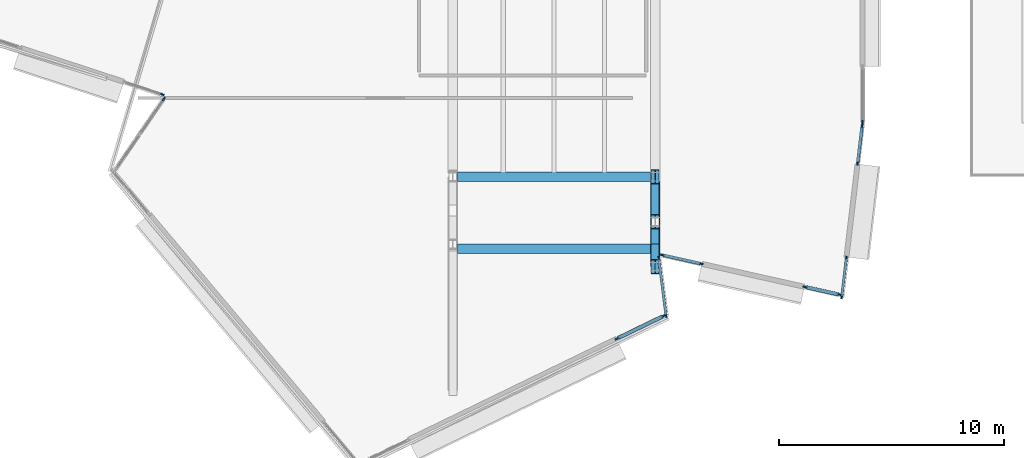
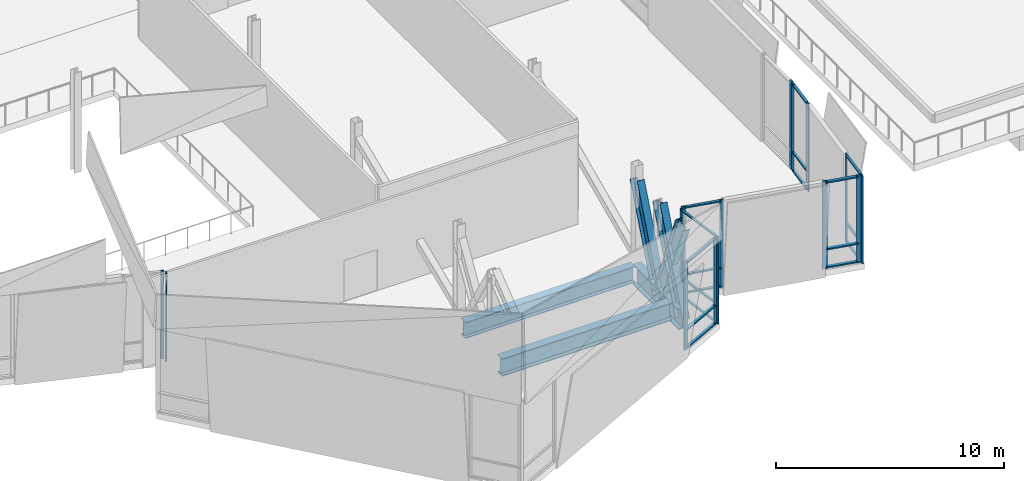
# One storey, part 11 of 60: 33 members, 7 beams, 9 elements without a shape of their own.
"""IFC4 building model written with IfcOpenShell, lengths in metres."""

from ifc_helpers import new_model, si_unit, direction, frame, origin, origin_2d, place, context, subcontext, project, spatial, rectangle, i_section, extrude, material, material_profile, profile_set, type_object, element, aggregate, save


model = new_model("IFC4")

# Units and contexts
model_context = context("Model", 3, precision=1e-05, world=origin(), true_north=direction((0.0, 1.0)))
body_context = subcontext(model_context, "Body", "Model", "MODEL_VIEW")
ifc_project = project(units=[si_unit("LENGTHUNIT", "METRE"), si_unit("AREAUNIT", "SQUARE_METRE"), si_unit("VOLUMEUNIT", "CUBIC_METRE"), si_unit("PLANEANGLEUNIT", "RADIAN"), si_unit("MASSUNIT", "GRAM", prefix="KILO")], contexts=[model_context])

# Site, building, storey
site_placement = place(None, origin())
site = spatial("IfcSite", under=ifc_project, at=site_placement, CompositionType="ELEMENT")
building_placement = place(site_placement, origin())
building = spatial("IfcBuilding", under=site, at=building_placement, Name="Trimount Lyric Opera House", CompositionType="ELEMENT")
storey_placement = place(building_placement, frame((0.0, 0.0, 15.0)))
storey = spatial("IfcBuildingStorey", under=building, at=storey_placement, Name="L03", CompositionType="ELEMENT", Elevation=15.0)

# Beams
ifc_material_1 = material(Name="Steel ASTM A992 Grade 50", Category="steel")
ifc_material_profile_1 = material_profile(ifc_material_1, i_section(OverallWidth=0.424072265625, OverallDepth=0.947021484375, WebThickness=0.02392578125, FlangeThickness=0.042724609375, FilletRadius=0.02392578125, at=origin_2d()), Name="W36X302")
ifc_profile_set_1 = profile_set([ifc_material_profile_1], Name="Steel ASTM A992 Grade 50")
beam_type_1 = type_object("IfcBeamType", Name="B-01", PredefinedType="BEAM", material=ifc_profile_set_1)
beam_1_placement = place(storey_placement, frame((45.21337890625, 22.800048828125, -0.798583984375), z_axis=(1.0, 0.0, 0.0), x_axis=(0.0, 1.0, 0.0)))
element("IfcBeam", 1, at=beam_1_placement, inside=storey, type_object=beam_type_1, Name="L03 crystal transverse girder 45", PredefinedType="BEAM", context=body_context, shape_type="SweptSolid", body=[
    extrude(i_section(OverallWidth=0.424072265625, OverallDepth=0.947021484375, WebThickness=0.02392578125, FlangeThickness=0.042724609375, FilletRadius=0.02392578125, at=origin_2d()), origin(), (0.0, 0.0, 1.0), 8.5732421875),
])
ifc_material_2 = material(Name="Steel ASTM A992 Grade 50", Category="steel")
ifc_material_profile_2 = material_profile(ifc_material_2, i_section(OverallWidth=0.40087890625, OverallDepth=0.861083984375, WebThickness=0.019775390625, FlangeThickness=0.032470703125, FilletRadius=0.02001953125, at=origin_2d()), Name="W33X221")
ifc_profile_set_2 = profile_set([ifc_material_profile_2], Name="Steel ASTM A992 Grade 50")
beam_type_2 = type_object("IfcBeamType", Name="B-04", PredefinedType="BEAM", material=ifc_profile_set_2)
beam_2_placement = place(storey_placement, frame((45.202880859375, 26.0, -0.755615234375), z_axis=(1.0, 0.0, 0.0), x_axis=(0.0, 1.0, 0.0)))
element("IfcBeam", 2, at=beam_2_placement, inside=storey, type_object=beam_type_2, Name="L03 girder X-0940", PredefinedType="BEAM", context=body_context, shape_type="SweptSolid", body=[
    extrude(i_section(OverallWidth=0.40087890625, OverallDepth=0.861083984375, WebThickness=0.019775390625, FlangeThickness=0.032470703125, FilletRadius=0.02001953125, at=origin_2d()), origin(), (0.0, 0.0, 1.0), 8.593994140625),
])
ifc_material_3 = material(Name="Steel ASTM A992 Grade 50", Category="steel")
ifc_material_profile_3 = material_profile(ifc_material_3, i_section(OverallWidth=0.35595703125, OverallDepth=0.700927734375, WebThickness=0.016845703125, FlangeThickness=0.02734375, FilletRadius=0.01806640625, at=origin_2d()), Name="W27X161")
ifc_profile_set_3 = profile_set([ifc_material_profile_3], Name="Steel ASTM A992 Grade 50")
beam_type_3 = type_object("IfcBeamType", Name="CTW-01", PredefinedType="USERDEFINED", material=ifc_profile_set_3)
for number, where, z_axis, x_axis, name in (
    (3, (54.0, 26.0, 4.154052734375), (0.0, -0.36978687442, -0.929116605979), (1.0, 0.0, 0.0), "L03 crystal truss 3 web raker 1"),
    (4, (54.0, 24.0, 4.154052734375), (0.0, -0.36978687442, -0.929116605979), (1.0, 0.0, 0.0), "L03 crystal truss 3 web raker 2"),
    (5, (54.0, 22.0, 4.154052734375), (0.0, 0.36978687442, -0.929116605979), (-1.0, 0.0, 0.0), "L03 crystal truss 3 prow counter raker"),
):
    element("IfcBeam", number, at=place(storey_placement, frame(where, z_axis=z_axis, x_axis=x_axis)), inside=storey, type_object=beam_type_3, Name=name, ObjectType="RAKER", PredefinedType="USERDEFINED", context=body_context, shape_type="SweptSolid", body=[
        extrude(i_section(OverallWidth=0.35595703125, OverallDepth=0.700927734375, WebThickness=0.016845703125, FlangeThickness=0.02734375, FilletRadius=0.01806640625, at=origin_2d()), origin(), (0.0, 0.0, 1.0), 5.408447265625),
    ])

# Curtain wall, member
ifc_material_4 = material(Name="Thermally Broken Aluminium and Low-E Glass", Category="aluminium")
curtain_wall_type = type_object("IfcCurtainWallType", Name="CW-02", PredefinedType="NOTDEFINED", material=ifc_material_4)
curtain_wall_1_placement = place(storey_placement, origin())
curtain_wall_1 = element("IfcCurtainWall", 6, at=curtain_wall_1_placement, inside=storey, type_object=curtain_wall_type, Name="L03 crystal fold glazed slit 264", PredefinedType="NOTDEFINED")
ifc_material_5 = material(Name="Anodised Aluminium 6063-T6", Category="aluminium")
ifc_material_profile_4 = material_profile(ifc_material_5, rectangle(XDim=0.070068359375, YDim=0.219970703125, at=origin_2d()), Name="ALU-MULL-70X220")
ifc_profile_set_4 = profile_set([ifc_material_profile_4], Name="Anodised Aluminium 6063-T6")
member_type_1 = type_object("IfcMemberType", Name="ML-01", PredefinedType="MULLION", material=ifc_profile_set_4)
member_1_placement = place(storey_placement, frame((63.2099609375, 28.404052734375, 0.0), z_axis=(0.0, 0.0, 1.0), x_axis=(1.0, 0.0, 0.0)))
member_1 = element("IfcMember", 7, at=member_1_placement, type_object=member_type_1, Name="CW-02 mullion 2", PredefinedType="MULLION", context=body_context, shape_type="SweptSolid", body=[
    extrude(rectangle(XDim=0.070068359375, YDim=0.219970703125, at=origin_2d()), origin(), (0.0, 0.0, 1.0), 4.719970703125),
])
aggregate(curtain_wall_1, [member_1])

# Curtain wall, members
curtain_wall_2_placement = place(storey_placement, origin())
curtain_wall_2 = element("IfcCurtainWall", 8, at=curtain_wall_2_placement, inside=storey, type_object=curtain_wall_type, Name="L03 crystal fold glazed slit 267", PredefinedType="NOTDEFINED")
member_2_placement = place(storey_placement, frame((62.182861328125, 20.76171875, 0.0), z_axis=(0.0, 0.0, 1.0), x_axis=(-0.218173664509, -0.97590996107, 0.0)))
member_2 = element("IfcMember", 9, at=member_2_placement, type_object=member_type_1, Name="CW-02 mullion 1", PredefinedType="MULLION", context=body_context, shape_type="SweptSolid", body=[
    extrude(rectangle(XDim=0.070068359375, YDim=0.219970703125, at=origin_2d()), origin(), (0.0, 0.0, 1.0), 4.699951171875),
])
member_3_placement = place(storey_placement, frame((60.672119140625, 21.099365234375, 0.0), z_axis=(0.0, 0.0, 1.0), x_axis=(-0.218173664509, -0.97590996107, 0.0)))
member_3 = element("IfcMember", 10, at=member_3_placement, type_object=member_type_1, Name="CW-02 mullion 2", PredefinedType="MULLION", context=body_context, shape_type="SweptSolid", body=[
    extrude(rectangle(XDim=0.070068359375, YDim=0.219970703125, at=origin_2d()), origin(), (0.0, 0.0, 1.0), 4.699951171875),
])

curtain_wall_3_placement = place(storey_placement, origin())
curtain_wall_3 = element("IfcCurtainWall", 11, at=curtain_wall_3_placement, inside=storey, type_object=curtain_wall_type, Name="L03 crystal fold glazed slit 270", PredefinedType="NOTDEFINED")
member_4_placement = place(storey_placement, frame((54.364501953125, 19.8076171875, 0.0), z_axis=(0.0, 0.0, 1.0), x_axis=(0.436658696555, -0.899627246543, 0.0)))
member_4 = element("IfcMember", 12, at=member_4_placement, type_object=member_type_1, Name="CW-02 mullion 1", PredefinedType="MULLION", context=body_context, shape_type="SweptSolid", body=[
    extrude(rectangle(XDim=0.070068359375, YDim=0.219970703125, at=origin_2d()), origin(), (0.0, 0.0, 1.0), 4.699951171875),
])
member_5_placement = place(storey_placement, frame((52.307373046875, 18.809326171875, 0.0), z_axis=(0.0, 0.0, 1.0), x_axis=(0.436658696555, -0.899627246543, 0.0)))
member_5 = element("IfcMember", 13, at=member_5_placement, type_object=member_type_1, Name="CW-02 mullion 2", PredefinedType="MULLION", context=body_context, shape_type="SweptSolid", body=[
    extrude(rectangle(XDim=0.070068359375, YDim=0.219970703125, at=origin_2d()), origin(), (0.0, 0.0, 1.0), 4.699951171875),
])

curtain_wall_4_placement = place(storey_placement, origin())
curtain_wall_4 = element("IfcCurtainWall", 14, at=curtain_wall_4_placement, inside=storey, type_object=curtain_wall_type, Name="L03 crystal fold glazed slit 265", PredefinedType="NOTDEFINED")
ifc_material_6 = material(Name="Anodised Aluminium 6063-T6", Category="aluminium")
ifc_material_profile_5 = material_profile(ifc_material_6, rectangle(XDim=0.06494140625, YDim=0.179931640625, at=origin_2d()), Name="ALU-MULL-65X180")
ifc_profile_set_5 = profile_set([ifc_material_profile_5], Name="Anodised Aluminium 6063-T6")
member_type_2 = type_object("IfcMemberType", Name="ML-02", PredefinedType="MULLION", material=ifc_profile_set_5)
member_6_placement = place(storey_placement, frame((63.195068359375, 28.247802734375, 0.0), z_axis=(0.0, 0.0, 1.0), x_axis=(0.993067350251, -0.117546747578, 0.0)))
member_6 = element("IfcMember", 15, at=member_6_placement, type_object=member_type_2, Name="CW-02 mullion 1", PredefinedType="MULLION", context=body_context, shape_type="SweptSolid", body=[
    extrude(rectangle(XDim=0.06494140625, YDim=0.179931640625, at=origin_2d()), origin(), (0.0, 0.0, 1.0), 4.719970703125),
])
member_7_placement = place(storey_placement, frame((62.999755859375, 26.59716796875, 0.0), z_axis=(0.0, 0.0, 1.0), x_axis=(0.993067350251, -0.117546747578, 0.0)))
member_7 = element("IfcMember", 16, at=member_7_placement, type_object=member_type_2, Name="CW-02 mullion 2", PredefinedType="MULLION", context=body_context, shape_type="SweptSolid", body=[
    extrude(rectangle(XDim=0.06494140625, YDim=0.179931640625, at=origin_2d()), origin(), (0.0, 0.0, 1.0), 4.719970703125),
])

curtain_wall_5_placement = place(storey_placement, origin())
curtain_wall_5 = element("IfcCurtainWall", 17, at=curtain_wall_5_placement, inside=storey, type_object=curtain_wall_type, Name="L03 crystal fold glazed slit 268", PredefinedType="NOTDEFINED")
member_8_placement = place(storey_placement, frame((56.042236328125, 22.135009765625, 0.0), z_axis=(0.0, 0.0, 1.0), x_axis=(-0.218029629321, -0.975942150303, 0.0)))
member_8 = element("IfcMember", 18, at=member_8_placement, type_object=member_type_2, Name="CW-02 mullion 1", PredefinedType="MULLION", context=body_context, shape_type="SweptSolid", body=[
    extrude(rectangle(XDim=0.06494140625, YDim=0.179931640625, at=origin_2d()), origin(), (0.0, 0.0, 1.0), 4.699951171875),
])
member_9_placement = place(storey_placement, frame((54.31982421875, 22.52001953125, 0.0), z_axis=(0.0, 0.0, 1.0), x_axis=(-0.218029629321, -0.975942150303, 0.0)))
member_9 = element("IfcMember", 19, at=member_9_placement, type_object=member_type_2, Name="CW-02 mullion 2", PredefinedType="MULLION", context=body_context, shape_type="SweptSolid", body=[
    extrude(rectangle(XDim=0.06494140625, YDim=0.179931640625, at=origin_2d()), origin(), (0.0, 0.0, 1.0), 4.699951171875),
])

# Curtain wall, member
curtain_wall_6_placement = place(storey_placement, origin())
curtain_wall_6 = element("IfcCurtainWall", 20, at=curtain_wall_6_placement, inside=storey, type_object=curtain_wall_type, Name="L03 crystal fold glazed slit 274", PredefinedType="NOTDEFINED")
member_10_placement = place(storey_placement, frame((32.15673828125, 29.455078125, 0.0), z_axis=(0.0, 0.0, 1.0), x_axis=(-0.825800981869, 0.563961646165, 0.0)))
member_10 = element("IfcMember", 21, at=member_10_placement, type_object=member_type_2, Name="CW-02 mullion 3", PredefinedType="MULLION", context=body_context, shape_type="SweptSolid", body=[
    extrude(rectangle(XDim=0.06494140625, YDim=0.179931640625, at=origin_2d()), origin(), (0.0, 0.0, 1.0), 4.719970703125),
])
aggregate(curtain_wall_6, [member_10])

# Curtain wall, members
curtain_wall_7_placement = place(storey_placement, origin())
curtain_wall_7 = element("IfcCurtainWall", 22, at=curtain_wall_7_placement, inside=storey, type_object=curtain_wall_type, Name="L03 crystal fold glazed slit 266", PredefinedType="NOTDEFINED")
ifc_material_7 = material(Name="Anodised Aluminium 6063-T6", Category="aluminium")
ifc_material_profile_6 = material_profile(ifc_material_7, rectangle(XDim=0.06005859375, YDim=0.14990234375, at=origin_2d()), Name="ALU-MULL-60X150")
ifc_profile_set_6 = profile_set([ifc_material_profile_6], Name="Anodised Aluminium 6063-T6")
member_type_3 = type_object("IfcMemberType", Name="ML-03", PredefinedType="MULLION", material=ifc_profile_set_6)
member_11_placement = place(storey_placement, frame((62.50244140625, 22.400146484375, 0.0), z_axis=(0.0, 0.0, 1.0), x_axis=(0.993072036748, -0.117507147991, 0.0)))
member_11 = element("IfcMember", 23, at=member_11_placement, type_object=member_type_3, Name="CW-02 mullion 1", PredefinedType="MULLION", context=body_context, shape_type="SweptSolid", body=[
    extrude(rectangle(XDim=0.06005859375, YDim=0.14990234375, at=origin_2d()), origin(), (0.0, 0.0, 1.0), 4.719970703125),
])
member_12_placement = place(storey_placement, frame((62.29443359375, 20.642822265625, 0.0), z_axis=(0.0, 0.0, 1.0), x_axis=(0.993072036748, -0.117507147991, 0.0)))
member_12 = element("IfcMember", 24, at=member_12_placement, type_object=member_type_3, Name="CW-02 mullion 2", PredefinedType="MULLION", context=body_context, shape_type="SweptSolid", body=[
    extrude(rectangle(XDim=0.06005859375, YDim=0.14990234375, at=origin_2d()), origin(), (0.0, 0.0, 1.0), 4.719970703125),
])

curtain_wall_8_placement = place(storey_placement, origin())
curtain_wall_8 = element("IfcCurtainWall", 25, at=curtain_wall_8_placement, inside=storey, type_object=curtain_wall_type, Name="L03 crystal fold glazed slit 269", PredefinedType="NOTDEFINED")
member_13_placement = place(storey_placement, frame((54.158935546875, 22.376220703125, 0.0), z_axis=(0.0, 0.0, 1.0), x_axis=(0.991876766421, 0.127202516616, 0.0)))
member_13 = element("IfcMember", 26, at=member_13_placement, type_object=member_type_3, Name="CW-02 mullion 1", PredefinedType="MULLION", context=body_context, shape_type="SweptSolid", body=[
    extrude(rectangle(XDim=0.06005859375, YDim=0.14990234375, at=origin_2d()), origin(), (0.0, 0.0, 1.0), 4.699951171875),
])
member_14_placement = place(storey_placement, frame((54.4873046875, 19.815673828125, 0.0), z_axis=(0.0, 0.0, 1.0), x_axis=(0.991876766421, 0.127202516616, 0.0)))
member_14 = element("IfcMember", 27, at=member_14_placement, type_object=member_type_3, Name="CW-02 mullion 2", PredefinedType="MULLION", context=body_context, shape_type="SweptSolid", body=[
    extrude(rectangle(XDim=0.06005859375, YDim=0.14990234375, at=origin_2d()), origin(), (0.0, 0.0, 1.0), 4.699951171875),
])

# Curtain wall, member
curtain_wall_9_placement = place(storey_placement, origin())
curtain_wall_9 = element("IfcCurtainWall", 28, at=curtain_wall_9_placement, inside=storey, type_object=curtain_wall_type, Name="L03 crystal fold glazed slit 275", PredefinedType="NOTDEFINED")
member_15_placement = place(storey_placement, frame((32.089599609375, 29.657470703125, 0.0), z_axis=(0.0, 0.0, 1.0), x_axis=(-0.31245613155, -0.949932190136, 0.0)))
member_15 = element("IfcMember", 29, at=member_15_placement, type_object=member_type_3, Name="CW-02 mullion 1", PredefinedType="MULLION", context=body_context, shape_type="SweptSolid", body=[
    extrude(rectangle(XDim=0.06005859375, YDim=0.14990234375, at=origin_2d()), origin(), (0.0, 0.0, 1.0), 4.719970703125),
])
aggregate(curtain_wall_9, [member_15])

# Beams
ifc_material_8 = material(Name="Steel ASTM A992 Grade 50", Category="steel")
ifc_material_profile_7 = material_profile(ifc_material_8, i_section(OverallWidth=0.427001953125, OverallDepth=1.092041015625, WebThickness=0.031005859375, FlangeThickness=0.055908203125, FilletRadius=0.02490234375, at=origin_2d()), Name="W40X397")
ifc_profile_set_7 = profile_set([ifc_material_profile_7], Name="Steel ASTM A992 Grade 50")
beam_type_4 = type_object("IfcBeamType", Name="TG-02", PredefinedType="USERDEFINED", material=ifc_profile_set_7)
for number, where, z_axis, x_axis, name in (
    (30, (54.0, 24.0, -0.87109375), (0.0, 1.0, 0.0), (-1.0, 0.0, 0.0), "L03 crystal truss 3 inner chord"),
    (31, (54.0, 22.0, -0.87109375), (0.0, 1.0, 0.0), (-1.0, 0.0, 0.0), "L03 crystal truss 3 prow chord"),
):
    element("IfcBeam", number, at=place(storey_placement, frame(where, z_axis=z_axis, x_axis=x_axis)), inside=storey, type_object=beam_type_4, Name=name, ObjectType="TRANSFER_GIRDER", PredefinedType="USERDEFINED", context=body_context, shape_type="SweptSolid", body=[
        extrude(i_section(OverallWidth=0.427001953125, OverallDepth=1.092041015625, WebThickness=0.031005859375, FlangeThickness=0.055908203125, FilletRadius=0.02490234375, at=origin_2d()), origin(), (0.0, 0.0, 1.0), 2.0),
    ])

# Member
ifc_material_9 = material(Name="Anodised Aluminium 6063-T6", Category="aluminium")
ifc_material_profile_8 = material_profile(ifc_material_9, rectangle(XDim=0.159912109375, YDim=0.070068359375, at=origin_2d()), Name="ALU-TRAN-70X160")
ifc_profile_set_8 = profile_set([ifc_material_profile_8], Name="Anodised Aluminium 6063-T6")
member_type_4 = type_object("IfcMemberType", Name="TR-01", PredefinedType="USERDEFINED", material=ifc_profile_set_8)
member_16_placement = place(storey_placement, frame((62.148681640625, 20.769287109375, 0.080078125), z_axis=(-0.975902498749, 0.218207041443, 0.0), x_axis=(-0.218207041443, -0.975902498749, 0.0)))
member_16 = element("IfcMember", 32, at=member_16_placement, type_object=member_type_4, Name="CW-02 transom 1.1", ObjectType="TRANSOM", PredefinedType="USERDEFINED", context=body_context, shape_type="SweptSolid", body=[
    extrude(rectangle(XDim=0.159912109375, YDim=0.070068359375, at=origin_2d()), origin(), (0.0, 0.0, 1.0), 1.47802734375),
])

member_17_placement = place(storey_placement, frame((62.148681640625, 20.769287109375, 1.050048828125), z_axis=(-0.975902498749, 0.218207041443, 0.0), x_axis=(-0.218207041443, -0.975902498749, 0.0)))
member_17 = element("IfcMember", 33, at=member_17_placement, type_object=member_type_4, Name="CW-02 transom 1.2", ObjectType="TRANSOM", PredefinedType="USERDEFINED", context=body_context, shape_type="SweptSolid", body=[
    extrude(rectangle(XDim=0.159912109375, YDim=0.070068359375, at=origin_2d()), origin(), (0.0, 0.0, 1.0), 1.47802734375),
])

member_18_placement = place(storey_placement, frame((62.148681640625, 20.769287109375, 4.6201171875), z_axis=(-0.975902498749, 0.218207041443, 0.0), x_axis=(-0.218207041443, -0.975902498749, 0.0)))
member_18 = element("IfcMember", 34, at=member_18_placement, type_object=member_type_4, Name="CW-02 transom 1.3", ObjectType="TRANSOM", PredefinedType="USERDEFINED", context=body_context, shape_type="SweptSolid", body=[
    extrude(rectangle(XDim=0.159912109375, YDim=0.070068359375, at=origin_2d()), origin(), (0.0, 0.0, 1.0), 1.47802734375),
])

aggregate(curtain_wall_2, [member_2, member_3, member_16, member_17, member_18])

member_19_placement = place(storey_placement, frame((54.3330078125, 19.79248046875, 0.080078125), z_axis=(-0.899608306806, -0.436697715045, 0.0), x_axis=(0.436697715045, -0.899608306806, 0.0)))
member_19 = element("IfcMember", 35, at=member_19_placement, type_object=member_type_4, Name="CW-02 transom 1.1", ObjectType="TRANSOM", PredefinedType="USERDEFINED", context=body_context, shape_type="SweptSolid", body=[
    extrude(rectangle(XDim=0.159912109375, YDim=0.070068359375, at=origin_2d()), origin(), (0.0, 0.0, 1.0), 2.216796875),
])

member_20_placement = place(storey_placement, frame((54.3330078125, 19.79248046875, 1.050048828125), z_axis=(-0.899608306806, -0.436697715045, 0.0), x_axis=(0.436697715045, -0.899608306806, 0.0)))
member_20 = element("IfcMember", 36, at=member_20_placement, type_object=member_type_4, Name="CW-02 transom 1.2", ObjectType="TRANSOM", PredefinedType="USERDEFINED", context=body_context, shape_type="SweptSolid", body=[
    extrude(rectangle(XDim=0.159912109375, YDim=0.070068359375, at=origin_2d()), origin(), (0.0, 0.0, 1.0), 2.216796875),
])

member_21_placement = place(storey_placement, frame((54.3330078125, 19.79248046875, 4.6201171875), z_axis=(-0.899608306806, -0.436697715045, 0.0), x_axis=(0.436697715045, -0.899608306806, 0.0)))
member_21 = element("IfcMember", 37, at=member_21_placement, type_object=member_type_4, Name="CW-02 transom 1.3", ObjectType="TRANSOM", PredefinedType="USERDEFINED", context=body_context, shape_type="SweptSolid", body=[
    extrude(rectangle(XDim=0.159912109375, YDim=0.070068359375, at=origin_2d()), origin(), (0.0, 0.0, 1.0), 2.216796875),
])

aggregate(curtain_wall_3, [member_4, member_5, member_19, member_20, member_21])

ifc_material_10 = material(Name="Anodised Aluminium 6063-T6", Category="aluminium")
ifc_material_profile_9 = material_profile(ifc_material_10, rectangle(XDim=0.135009765625, YDim=0.06494140625, at=origin_2d()), Name="ALU-TRAN-65X135")
ifc_profile_set_9 = profile_set([ifc_material_profile_9], Name="Anodised Aluminium 6063-T6")
member_type_5 = type_object("IfcMemberType", Name="TR-02", PredefinedType="USERDEFINED", material=ifc_profile_set_9)
member_22_placement = place(storey_placement, frame((63.19140625, 28.21533203125, 0.0673828125), z_axis=(-0.117577519776, -0.993063707344, 0.0), x_axis=(0.993063707344, -0.117577519776, 0.0)))
member_22 = element("IfcMember", 38, at=member_22_placement, type_object=member_type_5, Name="CW-02 transom 1.1", ObjectType="TRANSOM", PredefinedType="USERDEFINED", context=body_context, shape_type="SweptSolid", body=[
    extrude(rectangle(XDim=0.135009765625, YDim=0.06494140625, at=origin_2d()), origin(), (0.0, 0.0, 1.0), 1.5966796875),
])

member_23_placement = place(storey_placement, frame((63.19140625, 28.21533203125, 1.050048828125), z_axis=(-0.117577519776, -0.993063707344, 0.0), x_axis=(0.993063707344, -0.117577519776, 0.0)))
member_23 = element("IfcMember", 39, at=member_23_placement, type_object=member_type_5, Name="CW-02 transom 1.2", ObjectType="TRANSOM", PredefinedType="USERDEFINED", context=body_context, shape_type="SweptSolid", body=[
    extrude(rectangle(XDim=0.135009765625, YDim=0.06494140625, at=origin_2d()), origin(), (0.0, 0.0, 1.0), 1.5966796875),
])

member_24_placement = place(storey_placement, frame((63.19140625, 28.21533203125, 4.652587890625), z_axis=(-0.117577519776, -0.993063707344, 0.0), x_axis=(0.993063707344, -0.117577519776, 0.0)))
member_24 = element("IfcMember", 40, at=member_24_placement, type_object=member_type_5, Name="CW-02 transom 1.3", ObjectType="TRANSOM", PredefinedType="USERDEFINED", context=body_context, shape_type="SweptSolid", body=[
    extrude(rectangle(XDim=0.135009765625, YDim=0.06494140625, at=origin_2d()), origin(), (0.0, 0.0, 1.0), 1.5966796875),
])

aggregate(curtain_wall_4, [member_6, member_7, member_22, member_23, member_24])

member_25_placement = place(storey_placement, frame((56.010498046875, 22.14208984375, 0.0673828125), z_axis=(-0.975919390327, 0.218131482329, 0.0), x_axis=(-0.218131482329, -0.975919390327, 0.0)))
member_25 = element("IfcMember", 41, at=member_25_placement, type_object=member_type_5, Name="CW-02 transom 1.1", ObjectType="TRANSOM", PredefinedType="USERDEFINED", context=body_context, shape_type="SweptSolid", body=[
    extrude(rectangle(XDim=0.135009765625, YDim=0.06494140625, at=origin_2d()), origin(), (0.0, 0.0, 1.0), 1.7001953125),
])

member_26_placement = place(storey_placement, frame((56.010498046875, 22.14208984375, 1.050048828125), z_axis=(-0.975919390327, 0.218131482329, 0.0), x_axis=(-0.218131482329, -0.975919390327, 0.0)))
member_26 = element("IfcMember", 42, at=member_26_placement, type_object=member_type_5, Name="CW-02 transom 1.2", ObjectType="TRANSOM", PredefinedType="USERDEFINED", context=body_context, shape_type="SweptSolid", body=[
    extrude(rectangle(XDim=0.135009765625, YDim=0.06494140625, at=origin_2d()), origin(), (0.0, 0.0, 1.0), 1.7001953125),
])

member_27_placement = place(storey_placement, frame((56.010498046875, 22.14208984375, 4.632568359375), z_axis=(-0.975919390327, 0.218131482329, 0.0), x_axis=(-0.218131482329, -0.975919390327, 0.0)))
member_27 = element("IfcMember", 43, at=member_27_placement, type_object=member_type_5, Name="CW-02 transom 1.3", ObjectType="TRANSOM", PredefinedType="USERDEFINED", context=body_context, shape_type="SweptSolid", body=[
    extrude(rectangle(XDim=0.135009765625, YDim=0.06494140625, at=origin_2d()), origin(), (0.0, 0.0, 1.0), 1.7001953125),
])

aggregate(curtain_wall_5, [member_8, member_9, member_25, member_26, member_27])

ifc_material_11 = material(Name="Anodised Aluminium 6063-T6", Category="aluminium")
ifc_material_profile_10 = material_profile(ifc_material_11, rectangle(XDim=0.114990234375, YDim=0.06005859375, at=origin_2d()), Name="ALU-TRAN-60X115")
ifc_profile_set_10 = profile_set([ifc_material_profile_10], Name="Anodised Aluminium 6063-T6")
member_type_6 = type_object("IfcMemberType", Name="TR-03", PredefinedType="USERDEFINED", material=ifc_profile_set_10)
member_28_placement = place(storey_placement, frame((62.4990234375, 22.370361328125, 0.0576171875), z_axis=(-0.117528927962, -0.993069459349, 0.0), x_axis=(0.993069459349, -0.117528927962, 0.0)))
member_28 = element("IfcMember", 44, at=member_28_placement, type_object=member_type_6, Name="CW-02 transom 1.1", ObjectType="TRANSOM", PredefinedType="USERDEFINED", context=body_context, shape_type="SweptSolid", body=[
    extrude(rectangle(XDim=0.114990234375, YDim=0.06005859375, at=origin_2d()), origin(), (0.0, 0.0, 1.0), 1.709716796875),
])

member_29_placement = place(storey_placement, frame((62.4990234375, 22.370361328125, 1.050048828125), z_axis=(-0.117528927962, -0.993069459349, 0.0), x_axis=(0.993069459349, -0.117528927962, 0.0)))
member_29 = element("IfcMember", 45, at=member_29_placement, type_object=member_type_6, Name="CW-02 transom 1.2", ObjectType="TRANSOM", PredefinedType="USERDEFINED", context=body_context, shape_type="SweptSolid", body=[
    extrude(rectangle(XDim=0.114990234375, YDim=0.06005859375, at=origin_2d()), origin(), (0.0, 0.0, 1.0), 1.709716796875),
])

member_30_placement = place(storey_placement, frame((62.4990234375, 22.370361328125, 4.66259765625), z_axis=(-0.117528927962, -0.993069459349, 0.0), x_axis=(0.993069459349, -0.117528927962, 0.0)))
member_30 = element("IfcMember", 46, at=member_30_placement, type_object=member_type_6, Name="CW-02 transom 1.3", ObjectType="TRANSOM", PredefinedType="USERDEFINED", context=body_context, shape_type="SweptSolid", body=[
    extrude(rectangle(XDim=0.114990234375, YDim=0.06005859375, at=origin_2d()), origin(), (0.0, 0.0, 1.0), 1.709716796875),
])

aggregate(curtain_wall_7, [member_11, member_12, member_28, member_29, member_30])

member_31_placement = place(storey_placement, frame((54.16259765625, 22.346435546875, 0.0576171875), z_axis=(0.127227821788, -0.99187352085, 0.0), x_axis=(0.99187352085, 0.127227821788, 0.0)))
member_31 = element("IfcMember", 47, at=member_31_placement, type_object=member_type_6, Name="CW-02 transom 1.1", ObjectType="TRANSOM", PredefinedType="USERDEFINED", context=body_context, shape_type="SweptSolid", body=[
    extrude(rectangle(XDim=0.114990234375, YDim=0.06005859375, at=origin_2d()), origin(), (0.0, 0.0, 1.0), 2.521484375),
])

member_32_placement = place(storey_placement, frame((54.16259765625, 22.346435546875, 1.050048828125), z_axis=(0.127227821788, -0.99187352085, 0.0), x_axis=(0.99187352085, 0.127227821788, 0.0)))
member_32 = element("IfcMember", 48, at=member_32_placement, type_object=member_type_6, Name="CW-02 transom 1.2", ObjectType="TRANSOM", PredefinedType="USERDEFINED", context=body_context, shape_type="SweptSolid", body=[
    extrude(rectangle(XDim=0.114990234375, YDim=0.06005859375, at=origin_2d()), origin(), (0.0, 0.0, 1.0), 2.521484375),
])

member_33_placement = place(storey_placement, frame((54.16259765625, 22.346435546875, 4.642578125), z_axis=(0.127227821788, -0.99187352085, 0.0), x_axis=(0.99187352085, 0.127227821788, 0.0)))
member_33 = element("IfcMember", 49, at=member_33_placement, type_object=member_type_6, Name="CW-02 transom 1.3", ObjectType="TRANSOM", PredefinedType="USERDEFINED", context=body_context, shape_type="SweptSolid", body=[
    extrude(rectangle(XDim=0.114990234375, YDim=0.06005859375, at=origin_2d()), origin(), (0.0, 0.0, 1.0), 2.521484375),
])

aggregate(curtain_wall_8, [member_13, member_14, member_31, member_32, member_33])

save(model, "model.ifc")
